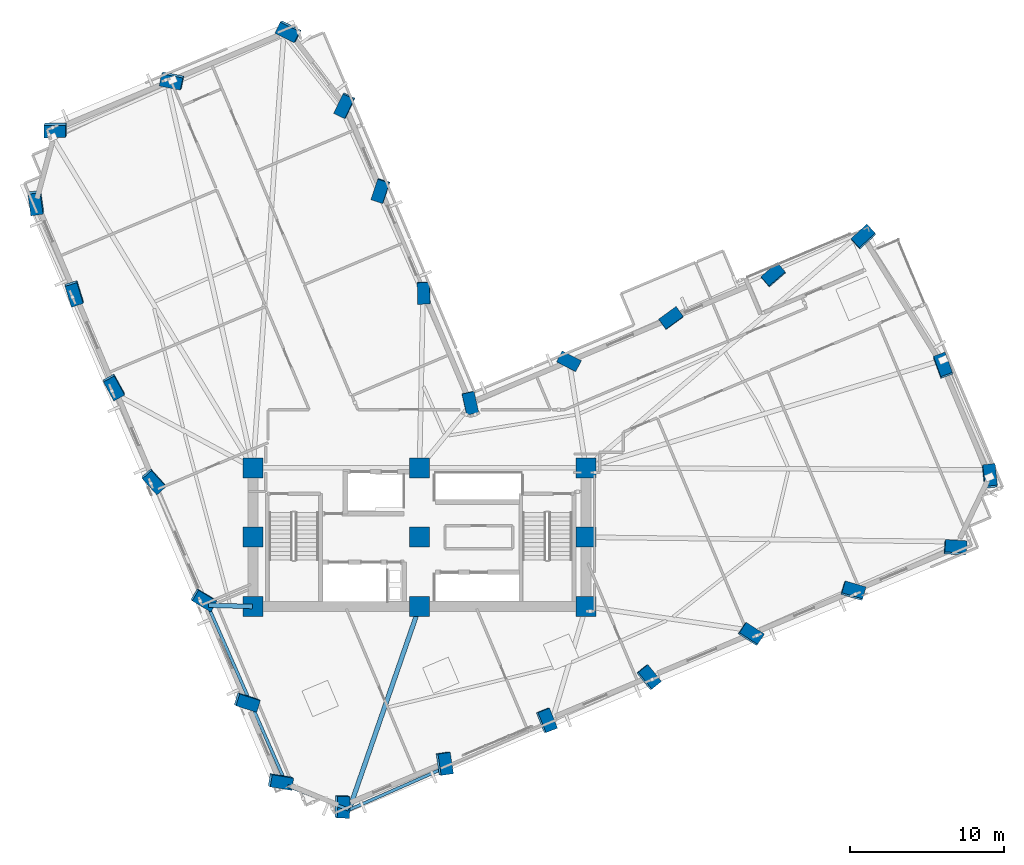
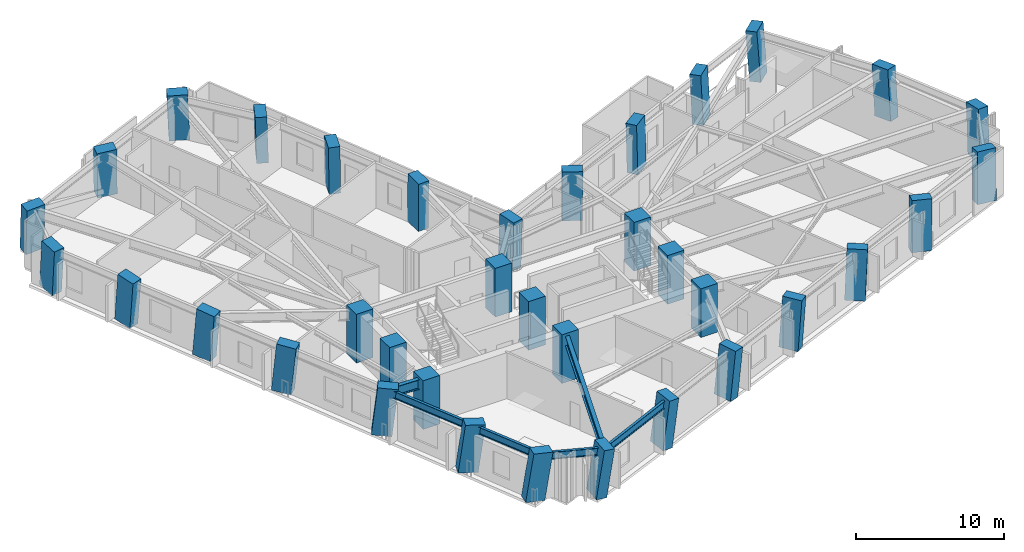
# One storey, part 1 of 18: 36 columns, 6 beams.
"""IFC4 building model written with IfcOpenShell, lengths in metres."""

from ifc_helpers import new_model, si_unit, direction, frame, origin, origin_2d, place, context, subcontext, project, spatial, rectangle, i_section, extrude, material, material_profile, profile_set, type_object, element, save


model = new_model("IFC4")

# Units and contexts
model_context = context("Model", 3, precision=1e-05, world=origin(), true_north=direction((0.0, 1.0)))
body_context = subcontext(model_context, "Body", "Model", "MODEL_VIEW")
ifc_project = project(units=[si_unit("LENGTHUNIT", "METRE"), si_unit("AREAUNIT", "SQUARE_METRE"), si_unit("VOLUMEUNIT", "CUBIC_METRE"), si_unit("PLANEANGLEUNIT", "RADIAN"), si_unit("MASSUNIT", "GRAM", prefix="KILO")], contexts=[model_context])

# Site, building, storey
site_placement = place(None, origin())
site = spatial("IfcSite", under=ifc_project, at=site_placement, CompositionType="ELEMENT")
building_placement = place(site_placement, origin())
building = spatial("IfcBuilding", under=site, at=building_placement, Name="Gaonmaruhae Medical Tower", CompositionType="ELEMENT")
storey_placement = place(building_placement, frame((0.0, 0.0, 120.39990234375)))
storey = spatial("IfcBuildingStorey", under=building, at=storey_placement, Name="L28", CompositionType="ELEMENT", Elevation=120.39990234375)

# Columns
ifc_material_1 = material(Name="Concrete C60/75", Category="concrete")
ifc_material_profile_1 = material_profile(ifc_material_1, rectangle(XDim=1.300048828125, YDim=1.300048828125, at=origin_2d()), Name="RC-1300x1300")
ifc_profile_set_1 = profile_set([ifc_material_profile_1], Name="Concrete C60/75")
column_type_1 = type_object("IfcColumnType", Name="CC-03 Zone 2 Core Column (RC-1300x1300)", PredefinedType="COLUMN", material=ifc_profile_set_1)
for number, where, z_axis, x_axis, name in (
    (1, (14.0, 7.800048828125, 0.0), (0.0, 0.0, 1.0), (1.0, 0.0, 0.0), "L28 Plumb Core Column CC11"),
    (2, (14.0, 12.300048828125, 0.0), (0.0, 0.0, 1.0), (1.0, 0.0, 0.0), "L28 Plumb Core Column CC12"),
    (3, (14.0, 16.800048828125, 0.0), (0.0, 0.0, 1.0), (1.0, 0.0, 0.0), "L28 Plumb Core Column CC13"),
    (4, (24.800048828125, 7.800048828125, 0.0), (0.0, 0.0, 1.0), (1.0, 0.0, 0.0), "L28 Plumb Core Column CC21"),
    (5, (24.800048828125, 12.300048828125, 0.0), (0.0, 0.0, 1.0), (1.0, 0.0, 0.0), "L28 Plumb Core Column CC22"),
    (6, (24.800048828125, 16.800048828125, 0.0), (0.0, 0.0, 1.0), (1.0, 0.0, 0.0), "L28 Plumb Core Column CC23"),
    (7, (35.60009765625, 7.800048828125, 0.0), (0.0, 0.0, 1.0), (1.0, 0.0, 0.0), "L28 Plumb Core Column CC31"),
    (8, (35.60009765625, 12.300048828125, 0.0), (0.0, 0.0, 1.0), (1.0, 0.0, 0.0), "L28 Plumb Core Column CC32"),
    (9, (35.60009765625, 16.800048828125, 0.0), (0.0, 0.0, 1.0), (1.0, 0.0, 0.0), "L28 Plumb Core Column CC33"),
):
    element("IfcColumn", number, at=place(storey_placement, frame(where, z_axis=z_axis, x_axis=x_axis)), inside=storey, type_object=column_type_1, Name=name, PredefinedType="COLUMN", context=body_context, shape_type="SweptSolid", body=[
        extrude(rectangle(XDim=1.300048828125, YDim=1.300048828125, at=origin_2d()), origin(), (0.0, 0.0, 1.0), 4.0),
    ])
ifc_material_profile_2 = material_profile(ifc_material_1, rectangle(XDim=1.39990234375, YDim=0.800048828125, at=origin_2d()), Name="RC-1400x800")
ifc_profile_set_2 = profile_set([ifc_material_profile_2], Name="Concrete C60/75")
column_type_2 = type_object("IfcColumnType", Name="TC-02 Mid Raking Tube Pier Column (RC-1400x800)", PredefinedType="COLUMN", material=ifc_profile_set_2)
column_1_placement = place(storey_placement, frame((19.72900390625, -5.1669921875, 0.001953125), z_axis=(0.123535171297, -0.055926750749, 0.990762968627), x_axis=(0.03043543394, 0.998154435941, 0.052549085353)))
element("IfcColumn", 10, at=column_1_placement, inside=storey, type_object=column_type_2, Name="L28 Perimeter Tube Column S01", PredefinedType="COLUMN", context=body_context, shape_type="SweptSolid", body=[
    extrude(rectangle(XDim=1.39990234375, YDim=0.800048828125, at=origin_2d()), origin(), (0.0, 0.0, 1.0), 4.03369140625),
])
column_2_placement = place(storey_placement, frame((26.366455078125, -2.376708984375, 0.001953125), z_axis=(0.112136863516, -0.028883737572, 0.993272899834), x_axis=(-0.142798204078, 0.988734076392, 0.04487314445)))
element("IfcColumn", 11, at=column_2_placement, inside=storey, type_object=column_type_2, Name="L28 Perimeter Tube Column S02", PredefinedType="COLUMN", context=body_context, shape_type="SweptSolid", body=[
    extrude(rectangle(XDim=1.39990234375, YDim=0.800048828125, at=origin_2d()), origin(), (0.0, 0.0, 1.0), 4.0234375),
])
column_3_placement = place(storey_placement, frame((33.003662109375, 0.413330078125, 0.001953125), z_axis=(0.100592771418, -0.001641090531, 0.994926329514), x_axis=(-0.370460704435, 0.928029591596, 0.038986453956)))
element("IfcColumn", 12, at=column_3_placement, inside=storey, type_object=column_type_2, Name="L28 Perimeter Tube Column S03", PredefinedType="COLUMN", context=body_context, shape_type="SweptSolid", body=[
    extrude(rectangle(XDim=1.39990234375, YDim=0.800048828125, at=origin_2d()), origin(), (0.0, 0.0, 1.0), 4.0166015625),
])
column_4_placement = place(storey_placement, frame((39.64111328125, 3.20361328125, 0.001953125), z_axis=(0.08893172908, 0.025669760377, 0.995706890086), x_axis=(-0.626372223707, 0.778698418388, 0.035869354176)))
element("IfcColumn", 13, at=column_4_placement, inside=storey, type_object=column_type_2, Name="L28 Perimeter Tube Column S04", PredefinedType="COLUMN", context=body_context, shape_type="SweptSolid", body=[
    extrude(rectangle(XDim=1.39990234375, YDim=0.800048828125, at=origin_2d()), origin(), (0.0, 0.0, 1.0), 4.013671875),
])
column_5_placement = place(storey_placement, frame((46.278564453125, 5.99365234375, 0.001953125), z_axis=(0.077184132072, 0.052976658026, 0.995608398649), x_axis=(-0.83977209716, 0.541725725919, 0.036277578595)))
element("IfcColumn", 14, at=column_5_placement, inside=storey, type_object=column_type_2, Name="L28 Perimeter Tube Column S05", PredefinedType="COLUMN", context=body_context, shape_type="SweptSolid", body=[
    extrude(rectangle(XDim=1.39990234375, YDim=0.800048828125, at=origin_2d()), origin(), (0.0, 0.0, 1.0), 4.013916015625),
])
column_6_placement = place(storey_placement, frame((52.916015625, 8.783935546875, 0.001953125), z_axis=(0.065381443896, 0.080146955854, 0.994636482471), x_axis=(-0.957968030834, 0.28406110417, 0.040081679075)))
element("IfcColumn", 15, at=column_6_placement, inside=storey, type_object=column_type_2, Name="L28 Perimeter Tube Column S06", PredefinedType="COLUMN", context=body_context, shape_type="SweptSolid", body=[
    extrude(rectangle(XDim=1.39990234375, YDim=0.800048828125, at=origin_2d()), origin(), (0.0, 0.0, 1.0), 4.017822265625),
])
column_7_placement = place(storey_placement, frame((59.553466796875, 11.573974609375, 0.001953125), z_axis=(0.05349371523, 0.107290682814, 0.992787556234), x_axis=(-0.996668247407, 0.06703771327, 0.046458041385)))
element("IfcColumn", 16, at=column_7_placement, inside=storey, type_object=column_type_2, Name="L28 Perimeter Tube Column S07", PredefinedType="COLUMN", context=body_context, shape_type="SweptSolid", body=[
    extrude(rectangle(XDim=1.39990234375, YDim=0.800048828125, at=origin_2d()), origin(), (0.0, 0.0, 1.0), 4.025390625),
])
column_8_placement = place(storey_placement, frame((61.784912109375, 16.200439453125, 0.001953125), z_axis=(0.034443751906, 0.116247662682, 0.992622843217), x_axis=(0.111590657739, -0.987448779471, 0.111769553219)))
element("IfcColumn", 17, at=column_8_placement, inside=storey, type_object=column_type_2, Name="L28 Perimeter Tube Column E01", PredefinedType="COLUMN", context=body_context, shape_type="SweptSolid", body=[
    extrude(rectangle(XDim=1.39990234375, YDim=0.800048828125, at=origin_2d()), origin(), (0.0, 0.0, 1.0), 4.026123046875),
])
column_9_placement = place(storey_placement, frame((58.76220703125, 23.390869140625, 0.001953125), z_axis=(0.004982357455, 0.103778860159, 0.994587916827), x_axis=(0.343101867735, -0.934402098194, 0.095780098391)))
element("IfcColumn", 18, at=column_9_placement, inside=storey, type_object=column_type_2, Name="L28 Perimeter Tube Column E02", PredefinedType="COLUMN", context=body_context, shape_type="SweptSolid", body=[
    extrude(rectangle(XDim=1.39990234375, YDim=0.800048828125, at=origin_2d()), origin(), (0.0, 0.0, 1.0), 4.01806640625),
])
column_10_placement = place(storey_placement, frame((53.62060546875, 31.751708984375, 0.001953125), z_axis=(-0.029393857899, 0.082400173075, 0.996165755582), x_axis=(-0.738573410753, -0.673320102521, 0.033902160268)))
element("IfcColumn", 19, at=column_10_placement, inside=storey, type_object=column_type_2, Name="L28 Perimeter Tube Column E03", PredefinedType="COLUMN", context=body_context, shape_type="SweptSolid", body=[
    extrude(rectangle(XDim=1.39990234375, YDim=0.800048828125, at=origin_2d()), origin(), (0.0, 0.0, 1.0), 4.01171875),
])
column_11_placement = place(storey_placement, frame((47.7666015625, 29.290771484375, 0.001953125), z_axis=(-0.019024348299, 0.05847548083, 0.998107555484), x_axis=(-0.756974157796, -0.653010177386, 0.023829239592)))
element("IfcColumn", 20, at=column_11_placement, inside=storey, type_object=column_type_2, Name="L28 Perimeter Tube Column EN01", PredefinedType="COLUMN", context=body_context, shape_type="SweptSolid", body=[
    extrude(rectangle(XDim=1.39990234375, YDim=0.800048828125, at=origin_2d()), origin(), (0.0, 0.0, 1.0), 4.00390625),
])
column_12_placement = place(storey_placement, frame((41.12939453125, 26.500732421875, 0.001953125), z_axis=(-0.007327178151, 0.031140507143, 0.999488159647), x_axis=(-0.808646535943, -0.588164173362, 0.012396978685)))
element("IfcColumn", 21, at=column_12_placement, inside=storey, type_object=column_type_2, Name="L28 Perimeter Tube Column EN02", PredefinedType="COLUMN", context=body_context, shape_type="SweptSolid", body=[
    extrude(rectangle(XDim=1.39990234375, YDim=0.800048828125, at=origin_2d()), origin(), (0.0, 0.0, 1.0), 3.998291015625),
])
column_13_placement = place(storey_placement, frame((34.491943359375, 23.71044921875, 0.001953125), z_axis=(0.004459574025, 0.003726493364, 0.999983112581), x_axis=(-0.888473565958, 0.458922270897, 0.002252080872)))
element("IfcColumn", 22, at=column_13_placement, inside=storey, type_object=column_type_2, Name="L28 Perimeter Tube Column EN03", PredefinedType="COLUMN", context=body_context, shape_type="SweptSolid", body=[
    extrude(rectangle(XDim=1.39990234375, YDim=0.800048828125, at=origin_2d()), origin(), (0.0, 0.0, 1.0), 3.996337890625),
])
column_14_placement = place(storey_placement, frame((28.0849609375, 21.017333984375, 0.001953125), z_axis=(0.015877558685, -0.022778189959, 0.999614454273), x_axis=(-0.219275335799, 0.975324277827, 0.025707590136)))
element("IfcColumn", 23, at=column_14_placement, inside=storey, type_object=column_type_2, Name="L28 Perimeter Tube Column KN01", PredefinedType="COLUMN", context=body_context, shape_type="SweptSolid", body=[
    extrude(rectangle(XDim=1.39990234375, YDim=0.800048828125, at=origin_2d()), origin(), (0.0, 0.0, 1.0), 3.997802734375),
])
column_15_placement = place(storey_placement, frame((25.081787109375, 28.16162109375, 0.001953125), z_axis=(-0.013674542539, -0.035407297646, 0.999279405452), x_axis=(-0.029610655568, 0.998948888693, 0.034990382344)))
element("IfcColumn", 24, at=column_15_placement, inside=storey, type_object=column_type_2, Name="L28 Perimeter Tube Column NE01", PredefinedType="COLUMN", context=body_context, shape_type="SweptSolid", body=[
    extrude(rectangle(XDim=1.39990234375, YDim=0.800048828125, at=origin_2d()), origin(), (0.0, 0.0, 1.0), 3.999267578125),
])
column_16_placement = place(storey_placement, frame((22.29150390625, 34.799072265625, 0.001953125), z_axis=(-0.040973075372, -0.047131231045, 0.998048021968), x_axis=(0.311183272161, 0.948604503294, 0.057571411811)))
element("IfcColumn", 25, at=column_16_placement, inside=storey, type_object=column_type_2, Name="L28 Perimeter Tube Column NE02", PredefinedType="COLUMN", context=body_context, shape_type="SweptSolid", body=[
    extrude(rectangle(XDim=1.39990234375, YDim=0.800048828125, at=origin_2d()), origin(), (0.0, 0.0, 1.0), 4.004150390625),
])
column_17_placement = place(storey_placement, frame((19.96630859375, 40.330078125, 0.001953125), z_axis=(-0.063668290579, -0.056790167409, 0.996353966048), x_axis=(0.427498847838, 0.900588142351, 0.078649430732)))
element("IfcColumn", 26, at=column_17_placement, inside=storey, type_object=column_type_2, Name="L28 Perimeter Tube Column NE03", PredefinedType="COLUMN", context=body_context, shape_type="SweptSolid", body=[
    extrude(rectangle(XDim=1.39990234375, YDim=0.800048828125, at=origin_2d()), origin(), (0.0, 0.0, 1.0), 4.010986328125),
])
column_18_placement = place(storey_placement, frame((16.316650390625, 45.141845703125, 0.001953125), z_axis=(-0.083247666563, -0.071892952014, 0.993932205667), x_axis=(0.894040749575, -0.445953232902, 0.042624548837)))
element("IfcColumn", 27, at=column_18_placement, inside=storey, type_object=column_type_2, Name="L28 Perimeter Tube Column N01", PredefinedType="COLUMN", context=body_context, shape_type="SweptSolid", body=[
    extrude(rectangle(XDim=1.39990234375, YDim=0.800048828125, at=origin_2d()), origin(), (0.0, 0.0, 1.0), 4.020751953125),
])
column_19_placement = place(storey_placement, frame((8.75732421875, 41.964111328125, 0.001953125), z_axis=(-0.069771417755, -0.102747656903, 0.992257460675), x_axis=(0.978659051429, -0.199775110531, 0.048128642913)))
element("IfcColumn", 28, at=column_19_placement, inside=storey, type_object=column_type_2, Name="L28 Perimeter Tube Column N02", PredefinedType="COLUMN", context=body_context, shape_type="SweptSolid", body=[
    extrude(rectangle(XDim=1.39990234375, YDim=0.800048828125, at=origin_2d()), origin(), (0.0, 0.0, 1.0), 4.027587890625),
])
column_20_placement = place(storey_placement, frame((1.197998046875, 38.786376953125, 0.001953125), z_axis=(-0.056216653726, -0.133348320558, 0.989473553587), x_axis=(0.998414843252, -0.004791929271, 0.056078856879)))
element("IfcColumn", 29, at=column_20_placement, inside=storey, type_object=column_type_2, Name="L28 Perimeter Tube Column N03", PredefinedType="COLUMN", context=body_context, shape_type="SweptSolid", body=[
    extrude(rectangle(XDim=1.39990234375, YDim=0.800048828125, at=origin_2d()), origin(), (0.0, 0.0, 1.0), 4.038818359375),
])
column_21_placement = place(storey_placement, frame((-0.075439453125, 34.07470703125, 0.001953125), z_axis=(-0.036941426088, -0.138454772083, 0.989679547695), x_axis=(-0.139219445833, 0.981410805172, 0.132101390582)))
element("IfcColumn", 30, at=column_21_placement, inside=storey, type_object=column_type_2, Name="L28 Perimeter Tube Column W01", PredefinedType="COLUMN", context=body_context, shape_type="SweptSolid", body=[
    extrude(rectangle(XDim=1.39990234375, YDim=0.800048828125, at=origin_2d()), origin(), (0.0, 0.0, 1.0), 4.0380859375),
])
column_22_placement = place(storey_placement, frame((2.404541015625, 28.1748046875, 0.001953125), z_axis=(-0.012782507671, -0.128370302159, 0.991643924512), x_axis=(-0.295028824763, 0.948058445469, 0.118925087905)))
element("IfcColumn", 31, at=column_22_placement, inside=storey, type_object=column_type_2, Name="L28 Perimeter Tube Column W02", PredefinedType="COLUMN", context=body_context, shape_type="SweptSolid", body=[
    extrude(rectangle(XDim=1.39990234375, YDim=0.800048828125, at=origin_2d()), origin(), (0.0, 0.0, 1.0), 4.030029296875),
])
column_23_placement = place(storey_placement, frame((4.962158203125, 22.090576171875, 0.001953125), z_axis=(0.012132234735, -0.117803999277, 0.992962751887), x_axis=(-0.479252206701, 0.870860755708, 0.109173561545)))
element("IfcColumn", 32, at=column_23_placement, inside=storey, type_object=column_type_2, Name="L28 Perimeter Tube Column W03", PredefinedType="COLUMN", context=body_context, shape_type="SweptSolid", body=[
    extrude(rectangle(XDim=1.39990234375, YDim=0.800048828125, at=origin_2d()), origin(), (0.0, 0.0, 1.0), 4.024658203125),
])
column_24_placement = place(storey_placement, frame((7.539306640625, 15.960205078125, 0.001953125), z_axis=(0.037268092554, -0.107069894569, 0.993552780155), x_axis=(-0.66706793096, 0.737629715316, 0.104512097711)))
element("IfcColumn", 33, at=column_24_placement, inside=storey, type_object=column_type_2, Name="L28 Perimeter Tube Column W04", PredefinedType="COLUMN", context=body_context, shape_type="SweptSolid", body=[
    extrude(rectangle(XDim=1.39990234375, YDim=0.800048828125, at=origin_2d()), origin(), (0.0, 0.0, 1.0), 4.022216796875),
])
column_25_placement = place(storey_placement, frame((10.775146484375, 8.2626953125, 0.001953125), z_axis=(0.068869636682, -0.09344426475, 0.993239720575), x_axis=(-0.855179341889, 0.507165586938, 0.107011030419)))
element("IfcColumn", 34, at=column_25_placement, inside=storey, type_object=column_type_2, Name="L28 Perimeter Tube Column W05", PredefinedType="COLUMN", context=body_context, shape_type="SweptSolid", body=[
    extrude(rectangle(XDim=1.39990234375, YDim=0.800048828125, at=origin_2d()), origin(), (0.0, 0.0, 1.0), 4.0234375),
])
column_26_placement = place(storey_placement, frame((13.565185546875, 1.625244140625, 0.001953125), z_axis=(0.095997367293, -0.08157352044, 0.992033399758), x_axis=(-0.947825408028, 0.296884478452, 0.116131831774)))
element("IfcColumn", 35, at=column_26_placement, inside=storey, type_object=column_type_2, Name="L28 Perimeter Tube Column W06", PredefinedType="COLUMN", context=body_context, shape_type="SweptSolid", body=[
    extrude(rectangle(XDim=1.39990234375, YDim=0.800048828125, at=origin_2d()), origin(), (0.0, 0.0, 1.0), 4.0283203125),
])
column_27_placement = place(storey_placement, frame((15.7353515625, -3.537109375, 0.001953125), z_axis=(0.116966178975, -0.072430686101, 0.990491145184), x_axis=(-0.980323877703, 0.151261638283, 0.126826699042)))
element("IfcColumn", 36, at=column_27_placement, inside=storey, type_object=column_type_2, Name="L28 Perimeter Tube Column W07", PredefinedType="COLUMN", context=body_context, shape_type="SweptSolid", body=[
    extrude(rectangle(XDim=1.39990234375, YDim=0.800048828125, at=origin_2d()), origin(), (0.0, 0.0, 1.0), 4.03466796875),
])

# Beams
ifc_material_2 = material(Name="Steel SM420", Category="steel")
ifc_material_profile_3 = material_profile(ifc_material_2, i_section(OverallWidth=0.300048828125, OverallDepth=0.800048828125, WebThickness=0.013916015625, FlangeThickness=0.02587890625, FilletRadius=0.01806640625, at=origin_2d()), Name="H-800x300x14x26")
ifc_profile_set_3 = profile_set([ifc_material_profile_3], Name="Steel SM420")
beam_type_1 = type_object("IfcBeamType", Name="PG-02 Zone 2 Radial Floor Girder (H-800x300x14x26)", PredefinedType="BEAM", material=ifc_profile_set_3)
beam_1_placement = place(storey_placement, frame((24.78369140625, 7.752685546875, 3.380126953125), z_axis=(-0.327485567372, -0.944856181206, 0.0), x_axis=(0.944856181206, -0.327485567372, 0.0)))
element("IfcBeam", 37, at=beam_1_placement, inside=storey, type_object=beam_type_1, Name="L28 Radial Primary Girder S01", PredefinedType="BEAM", context=body_context, shape_type="SweptSolid", body=[
    extrude(i_section(OverallWidth=0.300048828125, OverallDepth=0.800048828125, WebThickness=0.013916015625, FlangeThickness=0.02587890625, FilletRadius=0.01806640625, at=origin_2d()), origin(), (0.0, 0.0, 1.0), 13.862548828125),
])
beam_2_placement = place(storey_placement, frame((13.949951171875, 7.801513671875, 3.380126953125), z_axis=(-0.999567902588, 0.029394014968, 0.0), x_axis=(-0.029394014968, -0.999567902588, 0.0)))
element("IfcBeam", 38, at=beam_2_placement, inside=storey, type_object=beam_type_1, Name="L28 Radial Primary Girder W05", PredefinedType="BEAM", context=body_context, shape_type="SweptSolid", body=[
    extrude(i_section(OverallWidth=0.300048828125, OverallDepth=0.800048828125, WebThickness=0.013916015625, FlangeThickness=0.02587890625, FilletRadius=0.01806640625, at=origin_2d()), origin(), (0.0, 0.0, 1.0), 2.848876953125),
])
ifc_material_3 = material(Name="Steel SM355", Category="steel")
ifc_material_profile_4 = material_profile(ifc_material_3, i_section(OverallWidth=0.199951171875, OverallDepth=0.60009765625, WebThickness=0.010986328125, FlangeThickness=0.01708984375, FilletRadius=0.012939453125, at=origin_2d()), Name="H-600x200x11x17")
ifc_profile_set_4 = profile_set([ifc_material_profile_4], Name="Steel SM355")
beam_type_2 = type_object("IfcBeamType", Name="SP-01 Lower Perimeter Spandrel Beam (H-600x200x11x17)", PredefinedType="SPANDREL", material=ifc_profile_set_4)
for number, where, z_axis, x_axis, name in (
    (39, (20.26416015625, -5.376708984375, 3.47998046875), (0.91530694264, 0.402756999635, 0.0), (-0.402756999635, 0.91530694264, 0.0), "L28 Perimeter Spandrel Beam S01-S02"),
    (40, (11.068359375, 7.85009765625, 3.47998046875), (0.402756999635, -0.91530694264, 0.0), (0.91530694264, 0.402756999635, 0.0), "L28 Perimeter Spandrel Beam W05-W06"),
):
    element("IfcBeam", number, at=place(storey_placement, frame(where, z_axis=z_axis, x_axis=x_axis)), inside=storey, type_object=beam_type_2, Name=name, PredefinedType="SPANDREL", context=body_context, shape_type="SweptSolid", body=[
        extrude(i_section(OverallWidth=0.199951171875, OverallDepth=0.60009765625, WebThickness=0.010986328125, FlangeThickness=0.01708984375, FilletRadius=0.012939453125, at=origin_2d()), origin(), (0.0, 0.0, 1.0), 7.1201171875),
    ])
beam_3_placement = place(storey_placement, frame((13.96826171875, 1.259765625, 3.47998046875), z_axis=(0.402746025219, -0.915311771568, 0.0), x_axis=(0.915311771568, 0.402746025219, 0.0)))
element("IfcBeam", 41, at=beam_3_placement, inside=storey, type_object=beam_type_2, Name="L28 Perimeter Spandrel Beam W06-W07", PredefinedType="SPANDREL", context=body_context, shape_type="SweptSolid", body=[
    extrude(i_section(OverallWidth=0.199951171875, OverallDepth=0.60009765625, WebThickness=0.010986328125, FlangeThickness=0.01708984375, FilletRadius=0.012939453125, at=origin_2d()), origin(), (0.0, 0.0, 1.0), 5.52001953125),
])
beam_4_placement = place(storey_placement, frame((16.24462890625, -3.843994140625, 3.47998046875), z_axis=(0.932020905068, -0.362404515033, 0.0), x_axis=(0.362404515033, 0.932020905068, 0.0)))
element("IfcBeam", 42, at=beam_4_placement, inside=storey, type_object=beam_type_2, Name="L28 Perimeter Spandrel Beam W07-S01", PredefinedType="SPANDREL", context=body_context, shape_type="SweptSolid", body=[
    extrude(i_section(OverallWidth=0.199951171875, OverallDepth=0.60009765625, WebThickness=0.010986328125, FlangeThickness=0.01708984375, FilletRadius=0.012939453125, at=origin_2d()), origin(), (0.0, 0.0, 1.0), 4.2333984375),
])

save(model, "model.ifc")
